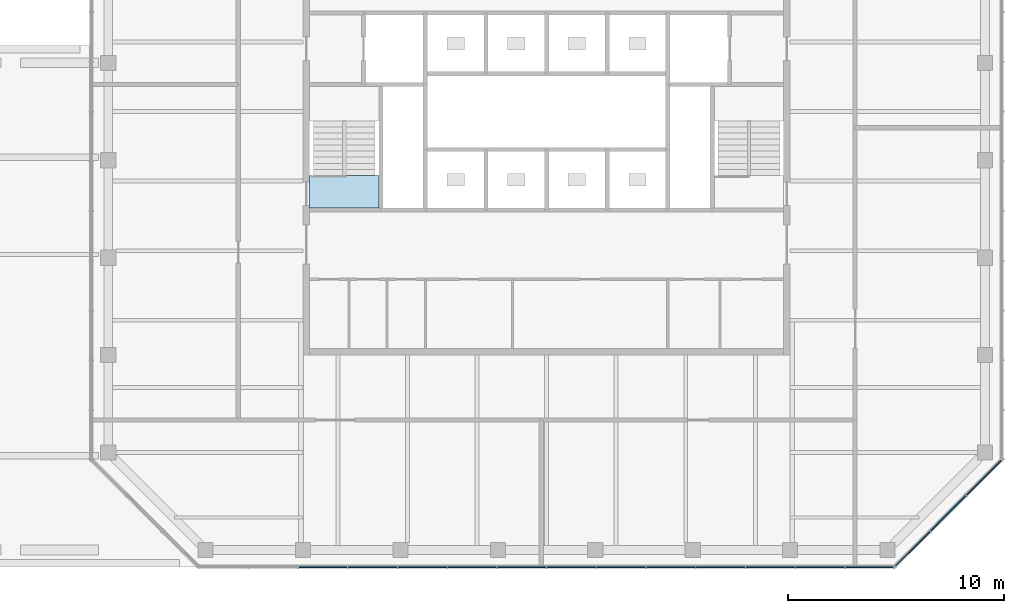
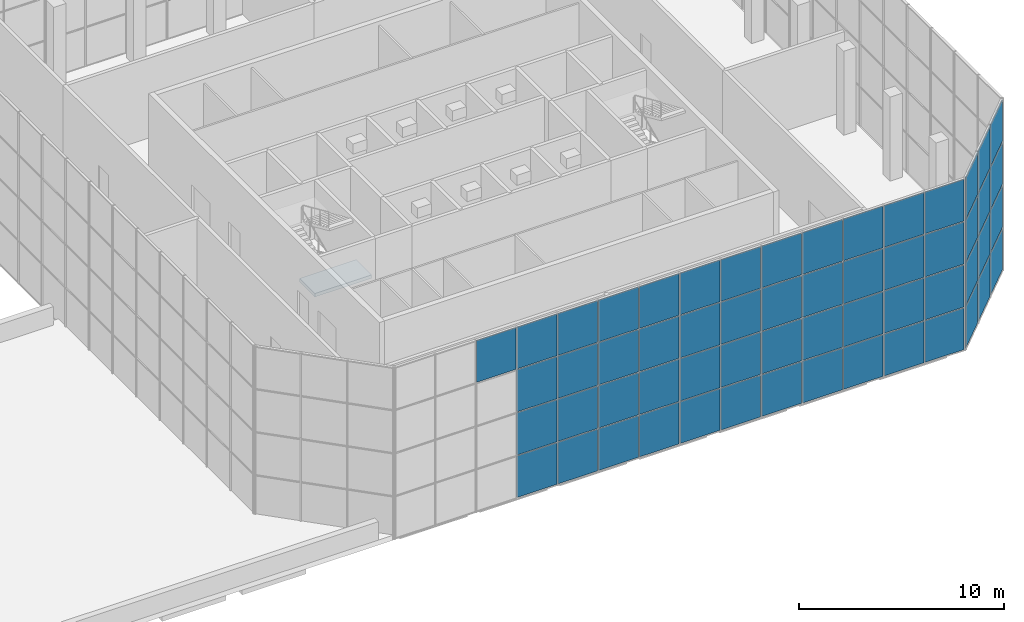
# One storey, part 13 of 19: 57 plates, 1 slab, 3 elements without a shape of their own.
"""IFC4 building model written with IfcOpenShell, lengths in metres."""

from ifc_helpers import new_model, si_unit, direction, frame, origin, origin_2d, place, context, subcontext, project, spatial, polyline, rectangle, outline, extrude, material, layer, layer_set, constituent, constituent_set, type_object, element, aggregate, save


model = new_model("IFC4")

# Units and contexts
model_context = context("Model", 3, precision=1e-05, world=origin(), true_north=direction((0.0, 1.0)))
body_context = subcontext(model_context, "Body", "Model", "MODEL_VIEW")
ifc_project = project(units=[si_unit("LENGTHUNIT", "METRE"), si_unit("AREAUNIT", "SQUARE_METRE"), si_unit("VOLUMEUNIT", "CUBIC_METRE"), si_unit("PLANEANGLEUNIT", "RADIAN"), si_unit("MASSUNIT", "GRAM", prefix="KILO")], contexts=[model_context])

# Site, building, storey
site_placement = place(None, origin())
site = spatial("IfcSite", under=ifc_project, at=site_placement, CompositionType="ELEMENT")
building_placement = place(site_placement, origin())
building = spatial("IfcBuilding", under=site, at=building_placement, Name="Quoin Convention Tower", CompositionType="ELEMENT")
storey_placement = place(building_placement, frame((0.0, 0.0, 263.699951171875)))
storey = spatial("IfcBuildingStorey", under=building, at=storey_placement, Name="L69", CompositionType="ELEMENT", Elevation=263.699951171875)

# Curtain wall, plates
ifc_material_1 = material(Name="Aluminium", Category="aluminium")
ifc_constituent_1 = constituent(ifc_material_1, Name="Frame")
ifc_material_2 = material(Name="Insulated glass", Category="glass")
ifc_constituent_2 = constituent(ifc_material_2, Name="Glazing")
ifc_constituent_set = constituent_set(constituents=[ifc_constituent_1, ifc_constituent_2], Name="Aluminium")
curtain_wall_type = type_object("IfcCurtainWallType", Name="Lantern wall system", PredefinedType="NOTDEFINED", material=ifc_constituent_set)
curtain_wall_1_placement = place(storey_placement, origin())
curtain_wall_1 = element("IfcCurtainWall", 1, at=curtain_wall_1_placement, inside=storey, type_object=curtain_wall_type, Name="crn-LNW-72000_40500", PredefinedType="NOTDEFINED")
ifc_layer_1 = layer(ifc_material_2, 0.048095703125)
ifc_layer_set_1 = layer_set([ifc_layer_1], Name="Insulated glass")
plate_type = type_object("IfcPlateType", Name="Lantern wall glazing unit 48", PredefinedType="CURTAIN_PANEL", material=ifc_layer_set_1)
plate_1_placement = place(storey_placement, frame((73.1650390625, 40.5478515625, -0.18994140625), z_axis=(0.0, 0.0, 1.0), x_axis=(0.707106781187, 0.707106781187, 0.0)))
plate_1 = element("IfcPlate", 2, at=plate_1_placement, type_object=plate_type, Name="CW5 panel 1.1", PredefinedType="CURTAIN_PANEL", context=body_context, shape_type="SweptSolid", body=[
    extrude(rectangle(XDim=2.24951171875, YDim=0.048095703125, at=origin_2d()), origin(), (0.0, 0.0, 1.0), 2.472412109375),
])
plate_2_placement = place(storey_placement, frame((73.1650390625, 40.5478515625, 2.342529296875), z_axis=(0.0, 0.0, 1.0), x_axis=(0.707106781187, 0.707106781187, 0.0)))
plate_2 = element("IfcPlate", 3, at=plate_2_placement, type_object=plate_type, Name="CW5 panel 1.2", PredefinedType="CURTAIN_PANEL", context=body_context, shape_type="SweptSolid", body=[
    extrude(rectangle(XDim=2.24951171875, YDim=0.048095703125, at=origin_2d()), origin(), (0.0, 0.0, 1.0), 2.50244140625),
])
plate_3_placement = place(storey_placement, frame((73.1650390625, 40.5478515625, 4.905029296875), z_axis=(0.0, 0.0, 1.0), x_axis=(0.707106781187, 0.707106781187, 0.0)))
plate_3 = element("IfcPlate", 4, at=plate_3_placement, type_object=plate_type, Name="CW5 panel 1.3", PredefinedType="CURTAIN_PANEL", context=body_context, shape_type="SweptSolid", body=[
    extrude(rectangle(XDim=2.24951171875, YDim=0.048095703125, at=origin_2d()), origin(), (0.0, 0.0, 1.0), 2.50244140625),
])
plate_4_placement = place(storey_placement, frame((73.1650390625, 40.5478515625, 7.4677734375), z_axis=(0.0, 0.0, 1.0), x_axis=(0.707106781187, 0.707106781187, 0.0)))
plate_4 = element("IfcPlate", 5, at=plate_4_placement, type_object=plate_type, Name="CW5 panel 1.4", PredefinedType="CURTAIN_PANEL", context=body_context, shape_type="SweptSolid", body=[
    extrude(rectangle(XDim=2.24951171875, YDim=0.048095703125, at=origin_2d()), origin(), (0.0, 0.0, 1.0), 2.472412109375),
])
plate_5_placement = place(storey_placement, frame((74.80859375, 42.19140625, -0.18994140625), z_axis=(0.0, 0.0, 1.0), x_axis=(0.707106781187, 0.707106781187, 0.0)))
plate_5 = element("IfcPlate", 6, at=plate_5_placement, type_object=plate_type, Name="CW5 panel 2.1", PredefinedType="CURTAIN_PANEL", context=body_context, shape_type="SweptSolid", body=[
    extrude(rectangle(XDim=2.279541015625, YDim=0.048095703125, at=origin_2d()), origin(), (0.0, 0.0, 1.0), 2.472412109375),
])
plate_6_placement = place(storey_placement, frame((74.80859375, 42.19140625, 2.342529296875), z_axis=(0.0, 0.0, 1.0), x_axis=(0.707106781187, 0.707106781187, 0.0)))
plate_6 = element("IfcPlate", 7, at=plate_6_placement, type_object=plate_type, Name="CW5 panel 2.2", PredefinedType="CURTAIN_PANEL", context=body_context, shape_type="SweptSolid", body=[
    extrude(rectangle(XDim=2.279541015625, YDim=0.048095703125, at=origin_2d()), origin(), (0.0, 0.0, 1.0), 2.50244140625),
])
plate_7_placement = place(storey_placement, frame((74.80859375, 42.19140625, 4.905029296875), z_axis=(0.0, 0.0, 1.0), x_axis=(0.707106781187, 0.707106781187, 0.0)))
plate_7 = element("IfcPlate", 8, at=plate_7_placement, type_object=plate_type, Name="CW5 panel 2.3", PredefinedType="CURTAIN_PANEL", context=body_context, shape_type="SweptSolid", body=[
    extrude(rectangle(XDim=2.279541015625, YDim=0.048095703125, at=origin_2d()), origin(), (0.0, 0.0, 1.0), 2.50244140625),
])
plate_8_placement = place(storey_placement, frame((74.80859375, 42.19140625, 7.4677734375), z_axis=(0.0, 0.0, 1.0), x_axis=(0.707106781187, 0.707106781187, 0.0)))
plate_8 = element("IfcPlate", 9, at=plate_8_placement, type_object=plate_type, Name="CW5 panel 2.4", PredefinedType="CURTAIN_PANEL", context=body_context, shape_type="SweptSolid", body=[
    extrude(rectangle(XDim=2.279541015625, YDim=0.048095703125, at=origin_2d()), origin(), (0.0, 0.0, 1.0), 2.472412109375),
])
plate_9_placement = place(storey_placement, frame((76.4521484375, 43.8349609375, -0.18994140625), z_axis=(0.0, 0.0, 1.0), x_axis=(0.707106781187, 0.707106781187, 0.0)))
plate_9 = element("IfcPlate", 10, at=plate_9_placement, type_object=plate_type, Name="CW5 panel 3.1", PredefinedType="CURTAIN_PANEL", context=body_context, shape_type="SweptSolid", body=[
    extrude(rectangle(XDim=2.24951171875, YDim=0.048095703125, at=origin_2d()), origin(), (0.0, 0.0, 1.0), 2.472412109375),
])
plate_10_placement = place(storey_placement, frame((76.4521484375, 43.8349609375, 2.342529296875), z_axis=(0.0, 0.0, 1.0), x_axis=(0.707106781187, 0.707106781187, 0.0)))
plate_10 = element("IfcPlate", 11, at=plate_10_placement, type_object=plate_type, Name="CW5 panel 3.2", PredefinedType="CURTAIN_PANEL", context=body_context, shape_type="SweptSolid", body=[
    extrude(rectangle(XDim=2.24951171875, YDim=0.048095703125, at=origin_2d()), origin(), (0.0, 0.0, 1.0), 2.50244140625),
])
plate_11_placement = place(storey_placement, frame((76.4521484375, 43.8349609375, 4.905029296875), z_axis=(0.0, 0.0, 1.0), x_axis=(0.707106781187, 0.707106781187, 0.0)))
plate_11 = element("IfcPlate", 12, at=plate_11_placement, type_object=plate_type, Name="CW5 panel 3.3", PredefinedType="CURTAIN_PANEL", context=body_context, shape_type="SweptSolid", body=[
    extrude(rectangle(XDim=2.24951171875, YDim=0.048095703125, at=origin_2d()), origin(), (0.0, 0.0, 1.0), 2.50244140625),
])
plate_12_placement = place(storey_placement, frame((76.4521484375, 43.8349609375, 7.4677734375), z_axis=(0.0, 0.0, 1.0), x_axis=(0.707106781187, 0.707106781187, 0.0)))
plate_12 = element("IfcPlate", 13, at=plate_12_placement, type_object=plate_type, Name="CW5 panel 3.4", PredefinedType="CURTAIN_PANEL", context=body_context, shape_type="SweptSolid", body=[
    extrude(rectangle(XDim=2.24951171875, YDim=0.048095703125, at=origin_2d()), origin(), (0.0, 0.0, 1.0), 2.472412109375),
])
aggregate(curtain_wall_1, [plate_1, plate_2, plate_3, plate_4, plate_5, plate_6, plate_7, plate_8, plate_9, plate_10, plate_11, plate_12])

curtain_wall_2_placement = place(storey_placement, origin())
curtain_wall_2 = element("IfcCurtainWall", 14, at=curtain_wall_2_placement, inside=storey, type_object=curtain_wall_type, Name="crn-LNW-40500_40500", PredefinedType="NOTDEFINED")
plate_13_placement = place(storey_placement, frame((45.91455078125, 39.7099609375, 7.4677734375), z_axis=(0.0, 0.0, 1.0), x_axis=(1.0, 0.0, 0.0)))
plate_13 = element("IfcPlate", 15, at=plate_13_placement, type_object=plate_type, Name="CW5 panel 3.4", PredefinedType="CURTAIN_PANEL", context=body_context, shape_type="SweptSolid", body=[
    extrude(rectangle(XDim=2.23681640625, YDim=0.048095703125, at=origin_2d()), origin(), (0.0, 0.0, 1.0), 2.472412109375),
])
plate_14_placement = place(storey_placement, frame((48.21142578125, 39.7099609375, -0.18994140625), z_axis=(0.0, 0.0, 1.0), x_axis=(1.0, 0.0, 0.0)))
plate_14 = element("IfcPlate", 16, at=plate_14_placement, type_object=plate_type, Name="CW5 panel 4.1", PredefinedType="CURTAIN_PANEL", context=body_context, shape_type="SweptSolid", body=[
    extrude(rectangle(XDim=2.23681640625, YDim=0.048095703125, at=origin_2d()), origin(), (0.0, 0.0, 1.0), 2.472412109375),
])
plate_15_placement = place(storey_placement, frame((48.21142578125, 39.7099609375, 2.342529296875), z_axis=(0.0, 0.0, 1.0), x_axis=(1.0, 0.0, 0.0)))
plate_15 = element("IfcPlate", 17, at=plate_15_placement, type_object=plate_type, Name="CW5 panel 4.2", PredefinedType="CURTAIN_PANEL", context=body_context, shape_type="SweptSolid", body=[
    extrude(rectangle(XDim=2.23681640625, YDim=0.048095703125, at=origin_2d()), origin(), (0.0, 0.0, 1.0), 2.50244140625),
])
plate_16_placement = place(storey_placement, frame((48.21142578125, 39.7099609375, 4.905029296875), z_axis=(0.0, 0.0, 1.0), x_axis=(1.0, 0.0, 0.0)))
plate_16 = element("IfcPlate", 18, at=plate_16_placement, type_object=plate_type, Name="CW5 panel 4.3", PredefinedType="CURTAIN_PANEL", context=body_context, shape_type="SweptSolid", body=[
    extrude(rectangle(XDim=2.23681640625, YDim=0.048095703125, at=origin_2d()), origin(), (0.0, 0.0, 1.0), 2.50244140625),
])
plate_17_placement = place(storey_placement, frame((48.21142578125, 39.7099609375, 7.4677734375), z_axis=(0.0, 0.0, 1.0), x_axis=(1.0, 0.0, 0.0)))
plate_17 = element("IfcPlate", 19, at=plate_17_placement, type_object=plate_type, Name="CW5 panel 4.4", PredefinedType="CURTAIN_PANEL", context=body_context, shape_type="SweptSolid", body=[
    extrude(rectangle(XDim=2.23681640625, YDim=0.048095703125, at=origin_2d()), origin(), (0.0, 0.0, 1.0), 2.472412109375),
])
plate_18_placement = place(storey_placement, frame((50.508056640625, 39.7099609375, -0.18994140625), z_axis=(0.0, 0.0, 1.0), x_axis=(1.0, 0.0, 0.0)))
plate_18 = element("IfcPlate", 20, at=plate_18_placement, type_object=plate_type, Name="CW5 panel 5.1", PredefinedType="CURTAIN_PANEL", context=body_context, shape_type="SweptSolid", body=[
    extrude(rectangle(XDim=2.23681640625, YDim=0.048095703125, at=origin_2d()), origin(), (0.0, 0.0, 1.0), 2.472412109375),
])
plate_19_placement = place(storey_placement, frame((50.508056640625, 39.7099609375, 2.342529296875), z_axis=(0.0, 0.0, 1.0), x_axis=(1.0, 0.0, 0.0)))
plate_19 = element("IfcPlate", 21, at=plate_19_placement, type_object=plate_type, Name="CW5 panel 5.2", PredefinedType="CURTAIN_PANEL", context=body_context, shape_type="SweptSolid", body=[
    extrude(rectangle(XDim=2.23681640625, YDim=0.048095703125, at=origin_2d()), origin(), (0.0, 0.0, 1.0), 2.50244140625),
])
plate_20_placement = place(storey_placement, frame((50.508056640625, 39.7099609375, 4.905029296875), z_axis=(0.0, 0.0, 1.0), x_axis=(1.0, 0.0, 0.0)))
plate_20 = element("IfcPlate", 22, at=plate_20_placement, type_object=plate_type, Name="CW5 panel 5.3", PredefinedType="CURTAIN_PANEL", context=body_context, shape_type="SweptSolid", body=[
    extrude(rectangle(XDim=2.23681640625, YDim=0.048095703125, at=origin_2d()), origin(), (0.0, 0.0, 1.0), 2.50244140625),
])
plate_21_placement = place(storey_placement, frame((50.508056640625, 39.7099609375, 7.4677734375), z_axis=(0.0, 0.0, 1.0), x_axis=(1.0, 0.0, 0.0)))
plate_21 = element("IfcPlate", 23, at=plate_21_placement, type_object=plate_type, Name="CW5 panel 5.4", PredefinedType="CURTAIN_PANEL", context=body_context, shape_type="SweptSolid", body=[
    extrude(rectangle(XDim=2.23681640625, YDim=0.048095703125, at=origin_2d()), origin(), (0.0, 0.0, 1.0), 2.472412109375),
])
plate_22_placement = place(storey_placement, frame((52.804931640625, 39.7099609375, -0.18994140625), z_axis=(0.0, 0.0, 1.0), x_axis=(1.0, 0.0, 0.0)))
plate_22 = element("IfcPlate", 24, at=plate_22_placement, type_object=plate_type, Name="CW5 panel 6.1", PredefinedType="CURTAIN_PANEL", context=body_context, shape_type="SweptSolid", body=[
    extrude(rectangle(XDim=2.23681640625, YDim=0.048095703125, at=origin_2d()), origin(), (0.0, 0.0, 1.0), 2.472412109375),
])
plate_23_placement = place(storey_placement, frame((52.804931640625, 39.7099609375, 2.342529296875), z_axis=(0.0, 0.0, 1.0), x_axis=(1.0, 0.0, 0.0)))
plate_23 = element("IfcPlate", 25, at=plate_23_placement, type_object=plate_type, Name="CW5 panel 6.2", PredefinedType="CURTAIN_PANEL", context=body_context, shape_type="SweptSolid", body=[
    extrude(rectangle(XDim=2.23681640625, YDim=0.048095703125, at=origin_2d()), origin(), (0.0, 0.0, 1.0), 2.50244140625),
])
plate_24_placement = place(storey_placement, frame((52.804931640625, 39.7099609375, 4.905029296875), z_axis=(0.0, 0.0, 1.0), x_axis=(1.0, 0.0, 0.0)))
plate_24 = element("IfcPlate", 26, at=plate_24_placement, type_object=plate_type, Name="CW5 panel 6.3", PredefinedType="CURTAIN_PANEL", context=body_context, shape_type="SweptSolid", body=[
    extrude(rectangle(XDim=2.23681640625, YDim=0.048095703125, at=origin_2d()), origin(), (0.0, 0.0, 1.0), 2.50244140625),
])
plate_25_placement = place(storey_placement, frame((52.804931640625, 39.7099609375, 7.4677734375), z_axis=(0.0, 0.0, 1.0), x_axis=(1.0, 0.0, 0.0)))
plate_25 = element("IfcPlate", 27, at=plate_25_placement, type_object=plate_type, Name="CW5 panel 6.4", PredefinedType="CURTAIN_PANEL", context=body_context, shape_type="SweptSolid", body=[
    extrude(rectangle(XDim=2.23681640625, YDim=0.048095703125, at=origin_2d()), origin(), (0.0, 0.0, 1.0), 2.472412109375),
])
plate_26_placement = place(storey_placement, frame((55.1015625, 39.7099609375, -0.18994140625), z_axis=(0.0, 0.0, 1.0), x_axis=(1.0, 0.0, 0.0)))
plate_26 = element("IfcPlate", 28, at=plate_26_placement, type_object=plate_type, Name="CW5 panel 7.1", PredefinedType="CURTAIN_PANEL", context=body_context, shape_type="SweptSolid", body=[
    extrude(rectangle(XDim=2.23681640625, YDim=0.048095703125, at=origin_2d()), origin(), (0.0, 0.0, 1.0), 2.472412109375),
])
plate_27_placement = place(storey_placement, frame((55.1015625, 39.7099609375, 2.342529296875), z_axis=(0.0, 0.0, 1.0), x_axis=(1.0, 0.0, 0.0)))
plate_27 = element("IfcPlate", 29, at=plate_27_placement, type_object=plate_type, Name="CW5 panel 7.2", PredefinedType="CURTAIN_PANEL", context=body_context, shape_type="SweptSolid", body=[
    extrude(rectangle(XDim=2.23681640625, YDim=0.048095703125, at=origin_2d()), origin(), (0.0, 0.0, 1.0), 2.50244140625),
])
plate_28_placement = place(storey_placement, frame((55.1015625, 39.7099609375, 4.905029296875), z_axis=(0.0, 0.0, 1.0), x_axis=(1.0, 0.0, 0.0)))
plate_28 = element("IfcPlate", 30, at=plate_28_placement, type_object=plate_type, Name="CW5 panel 7.3", PredefinedType="CURTAIN_PANEL", context=body_context, shape_type="SweptSolid", body=[
    extrude(rectangle(XDim=2.23681640625, YDim=0.048095703125, at=origin_2d()), origin(), (0.0, 0.0, 1.0), 2.50244140625),
])
plate_29_placement = place(storey_placement, frame((55.1015625, 39.7099609375, 7.4677734375), z_axis=(0.0, 0.0, 1.0), x_axis=(1.0, 0.0, 0.0)))
plate_29 = element("IfcPlate", 31, at=plate_29_placement, type_object=plate_type, Name="CW5 panel 7.4", PredefinedType="CURTAIN_PANEL", context=body_context, shape_type="SweptSolid", body=[
    extrude(rectangle(XDim=2.23681640625, YDim=0.048095703125, at=origin_2d()), origin(), (0.0, 0.0, 1.0), 2.472412109375),
])
plate_30_placement = place(storey_placement, frame((57.3984375, 39.7099609375, -0.18994140625), z_axis=(0.0, 0.0, 1.0), x_axis=(1.0, 0.0, 0.0)))
plate_30 = element("IfcPlate", 32, at=plate_30_placement, type_object=plate_type, Name="CW5 panel 8.1", PredefinedType="CURTAIN_PANEL", context=body_context, shape_type="SweptSolid", body=[
    extrude(rectangle(XDim=2.23681640625, YDim=0.048095703125, at=origin_2d()), origin(), (0.0, 0.0, 1.0), 2.472412109375),
])
plate_31_placement = place(storey_placement, frame((57.3984375, 39.7099609375, 2.342529296875), z_axis=(0.0, 0.0, 1.0), x_axis=(1.0, 0.0, 0.0)))
plate_31 = element("IfcPlate", 33, at=plate_31_placement, type_object=plate_type, Name="CW5 panel 8.2", PredefinedType="CURTAIN_PANEL", context=body_context, shape_type="SweptSolid", body=[
    extrude(rectangle(XDim=2.23681640625, YDim=0.048095703125, at=origin_2d()), origin(), (0.0, 0.0, 1.0), 2.50244140625),
])
plate_32_placement = place(storey_placement, frame((57.3984375, 39.7099609375, 4.905029296875), z_axis=(0.0, 0.0, 1.0), x_axis=(1.0, 0.0, 0.0)))
plate_32 = element("IfcPlate", 34, at=plate_32_placement, type_object=plate_type, Name="CW5 panel 8.3", PredefinedType="CURTAIN_PANEL", context=body_context, shape_type="SweptSolid", body=[
    extrude(rectangle(XDim=2.23681640625, YDim=0.048095703125, at=origin_2d()), origin(), (0.0, 0.0, 1.0), 2.50244140625),
])
plate_33_placement = place(storey_placement, frame((57.3984375, 39.7099609375, 7.4677734375), z_axis=(0.0, 0.0, 1.0), x_axis=(1.0, 0.0, 0.0)))
plate_33 = element("IfcPlate", 35, at=plate_33_placement, type_object=plate_type, Name="CW5 panel 8.4", PredefinedType="CURTAIN_PANEL", context=body_context, shape_type="SweptSolid", body=[
    extrude(rectangle(XDim=2.23681640625, YDim=0.048095703125, at=origin_2d()), origin(), (0.0, 0.0, 1.0), 2.472412109375),
])
plate_34_placement = place(storey_placement, frame((59.695068359375, 39.7099609375, -0.18994140625), z_axis=(0.0, 0.0, 1.0), x_axis=(1.0, 0.0, 0.0)))
plate_34 = element("IfcPlate", 36, at=plate_34_placement, type_object=plate_type, Name="CW5 panel 9.1", PredefinedType="CURTAIN_PANEL", context=body_context, shape_type="SweptSolid", body=[
    extrude(rectangle(XDim=2.23681640625, YDim=0.048095703125, at=origin_2d()), origin(), (0.0, 0.0, 1.0), 2.472412109375),
])
plate_35_placement = place(storey_placement, frame((59.695068359375, 39.7099609375, 2.342529296875), z_axis=(0.0, 0.0, 1.0), x_axis=(1.0, 0.0, 0.0)))
plate_35 = element("IfcPlate", 37, at=plate_35_placement, type_object=plate_type, Name="CW5 panel 9.2", PredefinedType="CURTAIN_PANEL", context=body_context, shape_type="SweptSolid", body=[
    extrude(rectangle(XDim=2.23681640625, YDim=0.048095703125, at=origin_2d()), origin(), (0.0, 0.0, 1.0), 2.50244140625),
])
plate_36_placement = place(storey_placement, frame((59.695068359375, 39.7099609375, 4.905029296875), z_axis=(0.0, 0.0, 1.0), x_axis=(1.0, 0.0, 0.0)))
plate_36 = element("IfcPlate", 38, at=plate_36_placement, type_object=plate_type, Name="CW5 panel 9.3", PredefinedType="CURTAIN_PANEL", context=body_context, shape_type="SweptSolid", body=[
    extrude(rectangle(XDim=2.23681640625, YDim=0.048095703125, at=origin_2d()), origin(), (0.0, 0.0, 1.0), 2.50244140625),
])
plate_37_placement = place(storey_placement, frame((59.695068359375, 39.7099609375, 7.4677734375), z_axis=(0.0, 0.0, 1.0), x_axis=(1.0, 0.0, 0.0)))
plate_37 = element("IfcPlate", 39, at=plate_37_placement, type_object=plate_type, Name="CW5 panel 9.4", PredefinedType="CURTAIN_PANEL", context=body_context, shape_type="SweptSolid", body=[
    extrude(rectangle(XDim=2.23681640625, YDim=0.048095703125, at=origin_2d()), origin(), (0.0, 0.0, 1.0), 2.472412109375),
])
plate_38_placement = place(storey_placement, frame((61.991943359375, 39.7099609375, -0.18994140625), z_axis=(0.0, 0.0, 1.0), x_axis=(1.0, 0.0, 0.0)))
plate_38 = element("IfcPlate", 40, at=plate_38_placement, type_object=plate_type, Name="CW5 panel 10.1", PredefinedType="CURTAIN_PANEL", context=body_context, shape_type="SweptSolid", body=[
    extrude(rectangle(XDim=2.23681640625, YDim=0.048095703125, at=origin_2d()), origin(), (0.0, 0.0, 1.0), 2.472412109375),
])
plate_39_placement = place(storey_placement, frame((61.991943359375, 39.7099609375, 2.342529296875), z_axis=(0.0, 0.0, 1.0), x_axis=(1.0, 0.0, 0.0)))
plate_39 = element("IfcPlate", 41, at=plate_39_placement, type_object=plate_type, Name="CW5 panel 10.2", PredefinedType="CURTAIN_PANEL", context=body_context, shape_type="SweptSolid", body=[
    extrude(rectangle(XDim=2.23681640625, YDim=0.048095703125, at=origin_2d()), origin(), (0.0, 0.0, 1.0), 2.50244140625),
])
plate_40_placement = place(storey_placement, frame((61.991943359375, 39.7099609375, 4.905029296875), z_axis=(0.0, 0.0, 1.0), x_axis=(1.0, 0.0, 0.0)))
plate_40 = element("IfcPlate", 42, at=plate_40_placement, type_object=plate_type, Name="CW5 panel 10.3", PredefinedType="CURTAIN_PANEL", context=body_context, shape_type="SweptSolid", body=[
    extrude(rectangle(XDim=2.23681640625, YDim=0.048095703125, at=origin_2d()), origin(), (0.0, 0.0, 1.0), 2.50244140625),
])
plate_41_placement = place(storey_placement, frame((61.991943359375, 39.7099609375, 7.4677734375), z_axis=(0.0, 0.0, 1.0), x_axis=(1.0, 0.0, 0.0)))
plate_41 = element("IfcPlate", 43, at=plate_41_placement, type_object=plate_type, Name="CW5 panel 10.4", PredefinedType="CURTAIN_PANEL", context=body_context, shape_type="SweptSolid", body=[
    extrude(rectangle(XDim=2.23681640625, YDim=0.048095703125, at=origin_2d()), origin(), (0.0, 0.0, 1.0), 2.472412109375),
])
plate_42_placement = place(storey_placement, frame((64.28857421875, 39.7099609375, -0.18994140625), z_axis=(0.0, 0.0, 1.0), x_axis=(1.0, 0.0, 0.0)))
plate_42 = element("IfcPlate", 44, at=plate_42_placement, type_object=plate_type, Name="CW5 panel 11.1", PredefinedType="CURTAIN_PANEL", context=body_context, shape_type="SweptSolid", body=[
    extrude(rectangle(XDim=2.23681640625, YDim=0.048095703125, at=origin_2d()), origin(), (0.0, 0.0, 1.0), 2.472412109375),
])
plate_43_placement = place(storey_placement, frame((64.28857421875, 39.7099609375, 2.342529296875), z_axis=(0.0, 0.0, 1.0), x_axis=(1.0, 0.0, 0.0)))
plate_43 = element("IfcPlate", 45, at=plate_43_placement, type_object=plate_type, Name="CW5 panel 11.2", PredefinedType="CURTAIN_PANEL", context=body_context, shape_type="SweptSolid", body=[
    extrude(rectangle(XDim=2.23681640625, YDim=0.048095703125, at=origin_2d()), origin(), (0.0, 0.0, 1.0), 2.50244140625),
])
plate_44_placement = place(storey_placement, frame((64.28857421875, 39.7099609375, 4.905029296875), z_axis=(0.0, 0.0, 1.0), x_axis=(1.0, 0.0, 0.0)))
plate_44 = element("IfcPlate", 46, at=plate_44_placement, type_object=plate_type, Name="CW5 panel 11.3", PredefinedType="CURTAIN_PANEL", context=body_context, shape_type="SweptSolid", body=[
    extrude(rectangle(XDim=2.23681640625, YDim=0.048095703125, at=origin_2d()), origin(), (0.0, 0.0, 1.0), 2.50244140625),
])
plate_45_placement = place(storey_placement, frame((64.28857421875, 39.7099609375, 7.4677734375), z_axis=(0.0, 0.0, 1.0), x_axis=(1.0, 0.0, 0.0)))
plate_45 = element("IfcPlate", 47, at=plate_45_placement, type_object=plate_type, Name="CW5 panel 11.4", PredefinedType="CURTAIN_PANEL", context=body_context, shape_type="SweptSolid", body=[
    extrude(rectangle(XDim=2.23681640625, YDim=0.048095703125, at=origin_2d()), origin(), (0.0, 0.0, 1.0), 2.472412109375),
])
plate_46_placement = place(storey_placement, frame((66.58544921875, 39.7099609375, -0.18994140625), z_axis=(0.0, 0.0, 1.0), x_axis=(1.0, 0.0, 0.0)))
plate_46 = element("IfcPlate", 48, at=plate_46_placement, type_object=plate_type, Name="CW5 panel 12.1", PredefinedType="CURTAIN_PANEL", context=body_context, shape_type="SweptSolid", body=[
    extrude(rectangle(XDim=2.23681640625, YDim=0.048095703125, at=origin_2d()), origin(), (0.0, 0.0, 1.0), 2.472412109375),
])
plate_47_placement = place(storey_placement, frame((66.58544921875, 39.7099609375, 2.342529296875), z_axis=(0.0, 0.0, 1.0), x_axis=(1.0, 0.0, 0.0)))
plate_47 = element("IfcPlate", 49, at=plate_47_placement, type_object=plate_type, Name="CW5 panel 12.2", PredefinedType="CURTAIN_PANEL", context=body_context, shape_type="SweptSolid", body=[
    extrude(rectangle(XDim=2.23681640625, YDim=0.048095703125, at=origin_2d()), origin(), (0.0, 0.0, 1.0), 2.50244140625),
])
plate_48_placement = place(storey_placement, frame((66.58544921875, 39.7099609375, 4.905029296875), z_axis=(0.0, 0.0, 1.0), x_axis=(1.0, 0.0, 0.0)))
plate_48 = element("IfcPlate", 50, at=plate_48_placement, type_object=plate_type, Name="CW5 panel 12.3", PredefinedType="CURTAIN_PANEL", context=body_context, shape_type="SweptSolid", body=[
    extrude(rectangle(XDim=2.23681640625, YDim=0.048095703125, at=origin_2d()), origin(), (0.0, 0.0, 1.0), 2.50244140625),
])
plate_49_placement = place(storey_placement, frame((66.58544921875, 39.7099609375, 7.4677734375), z_axis=(0.0, 0.0, 1.0), x_axis=(1.0, 0.0, 0.0)))
plate_49 = element("IfcPlate", 51, at=plate_49_placement, type_object=plate_type, Name="CW5 panel 12.4", PredefinedType="CURTAIN_PANEL", context=body_context, shape_type="SweptSolid", body=[
    extrude(rectangle(XDim=2.23681640625, YDim=0.048095703125, at=origin_2d()), origin(), (0.0, 0.0, 1.0), 2.472412109375),
])
plate_50_placement = place(storey_placement, frame((68.882080078125, 39.7099609375, -0.18994140625), z_axis=(0.0, 0.0, 1.0), x_axis=(1.0, 0.0, 0.0)))
plate_50 = element("IfcPlate", 52, at=plate_50_placement, type_object=plate_type, Name="CW5 panel 13.1", PredefinedType="CURTAIN_PANEL", context=body_context, shape_type="SweptSolid", body=[
    extrude(rectangle(XDim=2.23681640625, YDim=0.048095703125, at=origin_2d()), origin(), (0.0, 0.0, 1.0), 2.472412109375),
])
plate_51_placement = place(storey_placement, frame((68.882080078125, 39.7099609375, 2.342529296875), z_axis=(0.0, 0.0, 1.0), x_axis=(1.0, 0.0, 0.0)))
plate_51 = element("IfcPlate", 53, at=plate_51_placement, type_object=plate_type, Name="CW5 panel 13.2", PredefinedType="CURTAIN_PANEL", context=body_context, shape_type="SweptSolid", body=[
    extrude(rectangle(XDim=2.23681640625, YDim=0.048095703125, at=origin_2d()), origin(), (0.0, 0.0, 1.0), 2.50244140625),
])
plate_52_placement = place(storey_placement, frame((68.882080078125, 39.7099609375, 4.905029296875), z_axis=(0.0, 0.0, 1.0), x_axis=(1.0, 0.0, 0.0)))
plate_52 = element("IfcPlate", 54, at=plate_52_placement, type_object=plate_type, Name="CW5 panel 13.3", PredefinedType="CURTAIN_PANEL", context=body_context, shape_type="SweptSolid", body=[
    extrude(rectangle(XDim=2.23681640625, YDim=0.048095703125, at=origin_2d()), origin(), (0.0, 0.0, 1.0), 2.50244140625),
])
plate_53_placement = place(storey_placement, frame((68.882080078125, 39.7099609375, 7.4677734375), z_axis=(0.0, 0.0, 1.0), x_axis=(1.0, 0.0, 0.0)))
plate_53 = element("IfcPlate", 55, at=plate_53_placement, type_object=plate_type, Name="CW5 panel 13.4", PredefinedType="CURTAIN_PANEL", context=body_context, shape_type="SweptSolid", body=[
    extrude(rectangle(XDim=2.23681640625, YDim=0.048095703125, at=origin_2d()), origin(), (0.0, 0.0, 1.0), 2.472412109375),
])
plate_54_placement = place(storey_placement, frame((71.163818359375, 39.7099609375, -0.18994140625), z_axis=(0.0, 0.0, 1.0), x_axis=(1.0, 0.0, 0.0)))
plate_54 = element("IfcPlate", 56, at=plate_54_placement, type_object=plate_type, Name="CW5 panel 14.1", PredefinedType="CURTAIN_PANEL", context=body_context, shape_type="SweptSolid", body=[
    extrude(rectangle(XDim=2.206787109375, YDim=0.048095703125, at=origin_2d()), origin(), (0.0, 0.0, 1.0), 2.472412109375),
])
plate_55_placement = place(storey_placement, frame((71.163818359375, 39.7099609375, 2.342529296875), z_axis=(0.0, 0.0, 1.0), x_axis=(1.0, 0.0, 0.0)))
plate_55 = element("IfcPlate", 57, at=plate_55_placement, type_object=plate_type, Name="CW5 panel 14.2", PredefinedType="CURTAIN_PANEL", context=body_context, shape_type="SweptSolid", body=[
    extrude(rectangle(XDim=2.206787109375, YDim=0.048095703125, at=origin_2d()), origin(), (0.0, 0.0, 1.0), 2.50244140625),
])
plate_56_placement = place(storey_placement, frame((71.163818359375, 39.7099609375, 4.905029296875), z_axis=(0.0, 0.0, 1.0), x_axis=(1.0, 0.0, 0.0)))
plate_56 = element("IfcPlate", 58, at=plate_56_placement, type_object=plate_type, Name="CW5 panel 14.3", PredefinedType="CURTAIN_PANEL", context=body_context, shape_type="SweptSolid", body=[
    extrude(rectangle(XDim=2.206787109375, YDim=0.048095703125, at=origin_2d()), origin(), (0.0, 0.0, 1.0), 2.50244140625),
])
plate_57_placement = place(storey_placement, frame((71.163818359375, 39.7099609375, 7.4677734375), z_axis=(0.0, 0.0, 1.0), x_axis=(1.0, 0.0, 0.0)))
plate_57 = element("IfcPlate", 59, at=plate_57_placement, type_object=plate_type, Name="CW5 panel 14.4", PredefinedType="CURTAIN_PANEL", context=body_context, shape_type="SweptSolid", body=[
    extrude(rectangle(XDim=2.206787109375, YDim=0.048095703125, at=origin_2d()), origin(), (0.0, 0.0, 1.0), 2.472412109375),
])
aggregate(curtain_wall_2, [plate_13, plate_14, plate_15, plate_16, plate_17, plate_18, plate_19, plate_20, plate_21, plate_22, plate_23, plate_24, plate_25, plate_26, plate_27, plate_28, plate_29, plate_30, plate_31, plate_32, plate_33, plate_34, plate_35, plate_36, plate_37, plate_38, plate_39, plate_40, plate_41, plate_42, plate_43, plate_44, plate_45, plate_46, plate_47, plate_48, plate_49, plate_50, plate_51, plate_52, plate_53, plate_54, plate_55, plate_56, plate_57])

# Stair, slab
ifc_material_3 = material(Name="Concrete C40", Category="concrete")
stair_type = type_object("IfcStairType", Name="Exit stair four-flight 1350", PredefinedType="DOUBLE_RETURN_STAIR", material=ifc_material_3)
stair_placement = place(storey_placement, origin())
stair = element("IfcStair", 60, at=stair_placement, inside=storey, type_object=stair_type, Name="SD1 L69", PredefinedType="DOUBLE_RETURN_STAIR")
ifc_layer_2 = layer(ifc_material_3, 0.199951171875)
ifc_layer_set_2 = layer_set([ifc_layer_2], Name="Concrete C40")
slab_type = type_object("IfcSlabType", Name="Stair landing 200", PredefinedType="LANDING", material=ifc_layer_set_2)
slab_placement = place(storey_placement, frame((0.0, 0.0, 2.300048828125)))
slab = element("IfcSlab", 61, at=slab_placement, type_object=slab_type, Name="ST1 landing 2", PredefinedType="LANDING", context=body_context, shape_type="SweptSolid", body=[
    extrude(outline(polyline([(45.300048828125, 56.300048828125), (48.5, 56.300048828125), (48.5, 57.800048828125), (45.300048828125, 57.800048828125), (45.300048828125, 56.300048828125)])), origin(), (0.0, 0.0, 1.0), 0.199951171875),
])
aggregate(stair, [slab])

save(model, "model.ifc")
